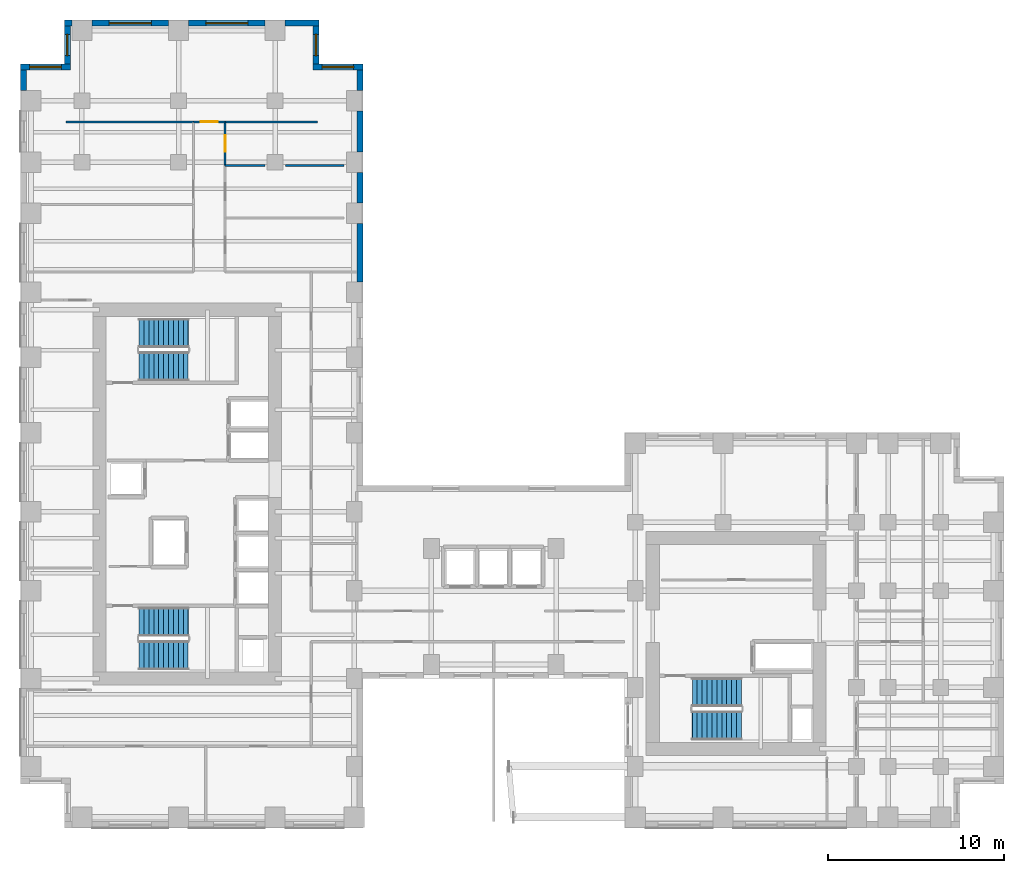
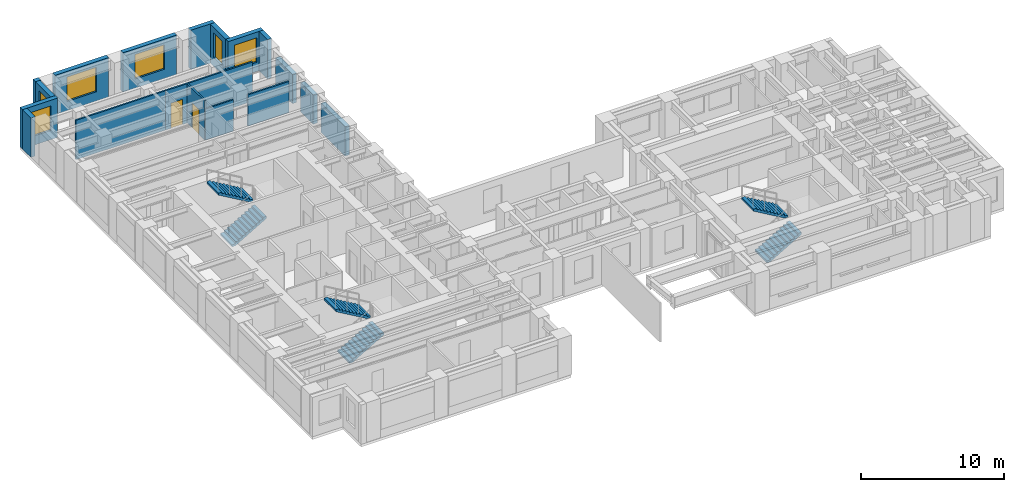
# One storey, part 12 of 14: 19 walls, 6 stair flights, 6 windows, 2 doors, 8 openings, 3 elements without a shape of their own.
"""IFC4 building model written with IfcOpenShell, lengths in metres."""

from ifc_helpers import new_model, si_unit, direction, frame, frame_2d, origin, place, context, subcontext, project, spatial, polyline, rectangle, outline, extrude, source, transform, mapped, material, layer, layer_set, type_object, element, fill, aggregate, save


model = new_model("IFC4")

# Units and contexts
model_context = context("Model", 3, precision=1e-05, world=origin(), true_north=direction((0.0, 1.0)))
body_context = subcontext(model_context, "Body", "Model", "MODEL_VIEW")
ifc_project = project(units=[si_unit("LENGTHUNIT", "METRE"), si_unit("AREAUNIT", "SQUARE_METRE"), si_unit("VOLUMEUNIT", "CUBIC_METRE"), si_unit("PLANEANGLEUNIT", "RADIAN"), si_unit("MASSUNIT", "GRAM", prefix="KILO")], contexts=[model_context])

# Site, building, storey
site_placement = place(None, origin())
site = spatial("IfcSite", under=ifc_project, at=site_placement, CompositionType="ELEMENT")
building_placement = place(site_placement, origin())
building = spatial("IfcBuilding", under=site, at=building_placement, Name="Kharzan Plaza Tower", CompositionType="ELEMENT")
storey_placement = place(building_placement, frame((0.0, 0.0, 102.60009765625)))
storey = spatial("IfcBuildingStorey", under=building, at=storey_placement, Name="L27", CompositionType="ELEMENT", Elevation=102.60009765625)

# Wall, opening, window
ifc_material_1 = material(Name="Concrete C40/50", Category="concrete")
ifc_layer_1 = layer(ifc_material_1, 0.35009765625)
ifc_layer_set_1 = layer_set([ifc_layer_1], Name="Concrete C40/50")
wall_type_1 = type_object("IfcWallType", Name="WL-EXT-MAS-Z2", PredefinedType="SOLIDWALL", material=ifc_layer_set_1)
wall_1_placement = place(storey_placement, frame((19.5, 43.324951171875, 0.0), z_axis=(0.0, 0.0, 1.0), x_axis=(-1.0, 0.0, 0.0)))
wall_1 = element("IfcWall", 1, at=wall_1_placement, inside=storey, type_object=wall_type_1, Name="L27 Masonry-Frame Exterior Wall 08", PredefinedType="SOLIDWALL", context=body_context, shape_type="SweptSolid", body=[
    extrude(rectangle(XDim=2.85009765625, YDim=0.35009765625, at=frame_2d((1.425048828125, 0.0))), origin(), (0.0, 0.0, 1.0), 3.364990234375),
])
opening_1_placement = place(wall_1_placement, frame((0.52490234375, 0.0, 0.780029296875)))
opening_1 = element("IfcOpeningElement", 2, at=opening_1_placement, cuts=wall_1, Name="Opening W1", PredefinedType="OPENING", context=body_context, shape_type="SweptSolid", body=[
    extrude(rectangle(XDim=1.800048828125, YDim=2.10009765625, at=frame_2d((0.89990234375, 1.050048828125))), frame((0.0, 0.18505859375, 0.0), z_axis=(0.0, -1.0, 0.0), x_axis=(1.0, 0.0, 0.0)), (0.0, 0.0, 1.0), 0.3701171875),
])
ifc_material_2 = material(Name="Low-E Double Glazing", Category="glass")
window_type_1 = type_object("IfcWindowType", Name="WN-REC-1800x2100", PartitioningType="SINGLE_PANEL", PredefinedType="WINDOW", material=ifc_material_2)
shared_shape_1 = source(origin(), body_context, "Body", "SweptSolid", [
    extrude(rectangle(XDim=1.800048828125, YDim=2.10009765625, at=frame_2d((0.89990234375, 1.050048828125))), frame((0.0, 0.030029296875, 0.0), z_axis=(0.0, -1.0, 0.0), x_axis=(1.0, 0.0, 0.0)), (0.0, 0.0, 1.0), 0.06005859375),
])
window_1_placement = place(opening_1_placement, origin())
window_1 = element("IfcWindow", 3, at=window_1_placement, inside=storey, type_object=window_type_1, Name="L27 Recessed Solar-Control Window 08-1", OverallHeight=2.10009765625, OverallWidth=1.800048828125, PartitioningType="SINGLE_PANEL", PredefinedType="WINDOW", context=body_context, shape_type="MappedRepresentation", body=[
    mapped(shared_shape_1, transform((0.0, 0.0, 0.0), x_axis=(1.0, 0.0, 0.0), y_axis=(0.0, 1.0, 0.0), z_axis=(0.0, 0.0, 1.0))),
])
fill(opening_1, window_1)

wall_2_placement = place(storey_placement, frame((16.824951171875, 43.498046875, 0.0), z_axis=(0.0, 0.0, 1.0), x_axis=(0.0, 1.0, 0.0)))
wall_2 = element("IfcWall", 4, at=wall_2_placement, inside=storey, type_object=wall_type_1, Name="L27 Masonry-Frame Exterior Wall 09", PredefinedType="SOLIDWALL", context=body_context, shape_type="SweptSolid", body=[
    extrude(rectangle(XDim=2.154052734375, YDim=0.35009765625, at=frame_2d((1.0771484375, 0.0))), origin(), (0.0, 0.0, 1.0), 3.364990234375),
])
opening_2_placement = place(wall_2_placement, frame((0.47705078125, 0.0, 0.780029296875)))
opening_2 = element("IfcOpeningElement", 5, at=opening_2_placement, cuts=wall_2, Name="Opening W3", PredefinedType="OPENING", context=body_context, shape_type="SweptSolid", body=[
    extrude(rectangle(XDim=1.199951171875, YDim=2.10009765625, at=frame_2d((0.60009765625, 1.050048828125))), frame((0.0, 0.18505859375, 0.0), z_axis=(0.0, -1.0, 0.0), x_axis=(1.0, 0.0, 0.0)), (0.0, 0.0, 1.0), 0.3701171875),
])
window_type_2 = type_object("IfcWindowType", Name="WN-REC-1200x2100", PartitioningType="SINGLE_PANEL", PredefinedType="WINDOW", material=ifc_material_2)
shared_shape_2 = source(origin(), body_context, "Body", "SweptSolid", [
    extrude(rectangle(XDim=1.199951171875, YDim=2.10009765625, at=frame_2d((0.60009765625, 1.050048828125))), frame((0.0, 0.030029296875, 0.0), z_axis=(0.0, -1.0, 0.0), x_axis=(1.0, 0.0, 0.0)), (0.0, 0.0, 1.0), 0.06005859375),
])
window_2_placement = place(opening_2_placement, origin())
window_2 = element("IfcWindow", 6, at=window_2_placement, inside=storey, type_object=window_type_2, Name="L27 Recessed Solar-Control Window 09-1", OverallHeight=2.10009765625, OverallWidth=1.199951171875, PartitioningType="SINGLE_PANEL", PredefinedType="WINDOW", context=body_context, shape_type="MappedRepresentation", body=[
    mapped(shared_shape_2, transform((0.0, 0.0, 0.0), x_axis=(1.0, 0.0, 0.0), y_axis=(0.0, 1.0, 0.0), z_axis=(0.0, 0.0, 1.0))),
])
fill(opening_2, window_2)

wall_3_placement = place(storey_placement, frame((13.927001953125, 45.824951171875, 0.0), z_axis=(0.0, 0.0, 1.0), x_axis=(-1.0, 0.0, 0.0)))
wall_3 = element("IfcWall", 7, at=wall_3_placement, inside=storey, type_object=wall_type_1, Name="L27 Masonry-Frame Exterior Wall 11", PredefinedType="SOLIDWALL", context=body_context, shape_type="SweptSolid", body=[
    extrude(rectangle(XDim=4.35400390625, YDim=0.35009765625, at=frame_2d((2.177001953125, 0.0))), origin(), (0.0, 0.0, 1.0), 3.364990234375),
])
opening_3_placement = place(wall_3_placement, frame((0.97705078125, 0.0, 0.780029296875)))
opening_3 = element("IfcOpeningElement", 8, at=opening_3_placement, cuts=wall_3, Name="Opening W2", PredefinedType="OPENING", context=body_context, shape_type="SweptSolid", body=[
    extrude(rectangle(XDim=2.39990234375, YDim=2.10009765625, at=frame_2d((1.199951171875, 1.050048828125))), frame((0.0, 0.18505859375, 0.0), z_axis=(0.0, -1.0, 0.0), x_axis=(1.0, 0.0, 0.0)), (0.0, 0.0, 1.0), 0.3701171875),
])
window_type_3 = type_object("IfcWindowType", Name="WN-REC-2400x2100", PartitioningType="SINGLE_PANEL", PredefinedType="WINDOW", material=ifc_material_2)
shared_shape_3 = source(origin(), body_context, "Body", "SweptSolid", [
    extrude(rectangle(XDim=2.39990234375, YDim=2.10009765625, at=frame_2d((1.199951171875, 1.050048828125))), frame((0.0, 0.030029296875, 0.0), z_axis=(0.0, -1.0, 0.0), x_axis=(1.0, 0.0, 0.0)), (0.0, 0.0, 1.0), 0.06005859375),
])
window_3_placement = place(opening_3_placement, origin())
window_3 = element("IfcWindow", 9, at=window_3_placement, inside=storey, type_object=window_type_3, Name="L27 Wide Recessed Solar-Control Window 11-1", OverallHeight=2.10009765625, OverallWidth=2.39990234375, PartitioningType="SINGLE_PANEL", PredefinedType="WINDOW", context=body_context, shape_type="MappedRepresentation", body=[
    mapped(shared_shape_3, transform((0.0, 0.0, 0.0), x_axis=(1.0, 0.0, 0.0), y_axis=(0.0, 1.0, 0.0), z_axis=(0.0, 0.0, 1.0))),
])
fill(opening_3, window_3)

wall_4_placement = place(storey_placement, frame((8.427001953125, 45.824951171875, 0.0), z_axis=(0.0, 0.0, 1.0), x_axis=(-1.0, 0.0, 0.0)))
wall_4 = element("IfcWall", 10, at=wall_4_placement, inside=storey, type_object=wall_type_1, Name="L27 Masonry-Frame Exterior Wall 12", PredefinedType="SOLIDWALL", context=body_context, shape_type="SweptSolid", body=[
    extrude(rectangle(XDim=4.35400390625, YDim=0.35009765625, at=frame_2d((2.177001953125, 0.0))), origin(), (0.0, 0.0, 1.0), 3.364990234375),
])
opening_4_placement = place(wall_4_placement, frame((0.97705078125, 0.0, 0.780029296875)))
opening_4 = element("IfcOpeningElement", 11, at=opening_4_placement, cuts=wall_4, Name="Opening W2", PredefinedType="OPENING", context=body_context, shape_type="SweptSolid", body=[
    extrude(rectangle(XDim=2.39990234375, YDim=2.10009765625, at=frame_2d((1.199951171875, 1.050048828125))), frame((0.0, 0.18505859375, 0.0), z_axis=(0.0, -1.0, 0.0), x_axis=(1.0, 0.0, 0.0)), (0.0, 0.0, 1.0), 0.3701171875),
])
window_4_placement = place(opening_4_placement, origin())
window_4 = element("IfcWindow", 12, at=window_4_placement, inside=storey, type_object=window_type_3, Name="L27 Wide Recessed Solar-Control Window 12-1", OverallHeight=2.10009765625, OverallWidth=2.39990234375, PartitioningType="SINGLE_PANEL", PredefinedType="WINDOW", context=body_context, shape_type="MappedRepresentation", body=[
    mapped(shared_shape_3, transform((0.0, 0.0, 0.0), x_axis=(1.0, 0.0, 0.0), y_axis=(0.0, 1.0, 0.0), z_axis=(0.0, 0.0, 1.0))),
])
fill(opening_4, window_4)

wall_5_placement = place(storey_placement, frame((2.675048828125, 45.652099609375, 0.0), z_axis=(0.0, 0.0, 1.0), x_axis=(0.0, -1.0, 0.0)))
wall_5 = element("IfcWall", 13, at=wall_5_placement, inside=storey, type_object=wall_type_1, Name="L27 Masonry-Frame Exterior Wall 14", PredefinedType="SOLIDWALL", context=body_context, shape_type="SweptSolid", body=[
    extrude(rectangle(XDim=2.154052734375, YDim=0.35009765625, at=frame_2d((1.0771484375, 0.0))), origin(), (0.0, 0.0, 1.0), 3.364990234375),
])
opening_5_placement = place(wall_5_placement, frame((0.47705078125, 0.0, 0.780029296875)))
opening_5 = element("IfcOpeningElement", 14, at=opening_5_placement, cuts=wall_5, Name="Opening W3", PredefinedType="OPENING", context=body_context, shape_type="SweptSolid", body=[
    extrude(rectangle(XDim=1.199951171875, YDim=2.10009765625, at=frame_2d((0.60009765625, 1.050048828125))), frame((0.0, 0.18505859375, 0.0), z_axis=(0.0, -1.0, 0.0), x_axis=(1.0, 0.0, 0.0)), (0.0, 0.0, 1.0), 0.3701171875),
])
window_5_placement = place(opening_5_placement, origin())
window_5 = element("IfcWindow", 15, at=window_5_placement, inside=storey, type_object=window_type_2, Name="L27 Recessed Solar-Control Window 14-1", OverallHeight=2.10009765625, OverallWidth=1.199951171875, PartitioningType="SINGLE_PANEL", PredefinedType="WINDOW", context=body_context, shape_type="MappedRepresentation", body=[
    mapped(shared_shape_2, transform((0.0, 0.0, 0.0), x_axis=(1.0, 0.0, 0.0), y_axis=(0.0, 1.0, 0.0), z_axis=(0.0, 0.0, 1.0))),
])
fill(opening_5, window_5)

wall_6_placement = place(storey_placement, frame((2.85009765625, 43.324951171875, 0.0), z_axis=(0.0, 0.0, 1.0), x_axis=(-1.0, 0.0, 0.0)))
wall_6 = element("IfcWall", 16, at=wall_6_placement, inside=storey, type_object=wall_type_1, Name="L27 Masonry-Frame Exterior Wall 15", PredefinedType="SOLIDWALL", context=body_context, shape_type="SweptSolid", body=[
    extrude(rectangle(XDim=2.85009765625, YDim=0.35009765625, at=frame_2d((1.425048828125, 0.0))), origin(), (0.0, 0.0, 1.0), 3.364990234375),
])
opening_6_placement = place(wall_6_placement, frame((0.52490234375, 0.0, 0.780029296875)))
opening_6 = element("IfcOpeningElement", 17, at=opening_6_placement, cuts=wall_6, Name="Opening W1", PredefinedType="OPENING", context=body_context, shape_type="SweptSolid", body=[
    extrude(rectangle(XDim=1.800048828125, YDim=2.10009765625, at=frame_2d((0.89990234375, 1.050048828125))), frame((0.0, 0.18505859375, 0.0), z_axis=(0.0, -1.0, 0.0), x_axis=(1.0, 0.0, 0.0)), (0.0, 0.0, 1.0), 0.3701171875),
])
window_6_placement = place(opening_6_placement, origin())
window_6 = element("IfcWindow", 18, at=window_6_placement, inside=storey, type_object=window_type_1, Name="L27 Recessed Solar-Control Window 15-1", OverallHeight=2.10009765625, OverallWidth=1.800048828125, PartitioningType="SINGLE_PANEL", PredefinedType="WINDOW", context=body_context, shape_type="MappedRepresentation", body=[
    mapped(shared_shape_1, transform((0.0, 0.0, 0.0), x_axis=(1.0, 0.0, 0.0), y_axis=(0.0, 1.0, 0.0), z_axis=(0.0, 0.0, 1.0))),
])
fill(opening_6, window_6)

# Wall, opening, door
ifc_material_3 = material(Name="Fire-Rated Gypsum Board Partition", Category="gypsum")
ifc_layer_2 = layer(ifc_material_3, 0.125)
ifc_layer_set_2 = layer_set([ifc_layer_2], Name="Fire-Rated Gypsum Board Partition")
wall_type_2 = type_object("IfcWallType", Name="WL-INT-PART-125", PredefinedType="PARTITIONING", material=ifc_layer_set_2)
wall_7_placement = place(storey_placement, frame((11.64990234375, 37.720947265625, 0.0), z_axis=(0.0, 0.0, 1.0), x_axis=(0.0, 1.0, 0.0)))
wall_7 = element("IfcWall", 19, at=wall_7_placement, inside=storey, type_object=wall_type_2, Name="L27 Interior Partition SH-SPE-3", PredefinedType="PARTITIONING", context=body_context, shape_type="SweptSolid", body=[
    extrude(rectangle(XDim=2.47900390625, YDim=0.125, at=frame_2d((1.239501953125, 0.0))), origin(), (0.0, 0.0, 1.0), 3.364990234375),
])
opening_7_placement = place(wall_7_placement, frame((0.764404296875, 0.0, 0.0)))
opening_7 = element("IfcOpeningElement", 20, at=opening_7_placement, cuts=wall_7, Name="Opening OD1", PredefinedType="OPENING", context=body_context, shape_type="SweptSolid", body=[
    extrude(rectangle(XDim=0.949951171875, YDim=2.14990234375, at=frame_2d((0.47509765625, 1.074951171875))), frame((0.0, 0.072509765625, 0.0), z_axis=(0.0, -1.0, 0.0), x_axis=(1.0, 0.0, 0.0)), (0.0, 0.0, 1.0), 0.14501953125),
])
ifc_material_4 = material(Name="Acoustic Solid-Core Stained Oak", Category="timber")
door_type = type_object("IfcDoorType", Name="DR-OFF-SINGLE", OperationType="NOTDEFINED", PredefinedType="DOOR", material=ifc_material_4)
shared_shape_4 = source(origin(), body_context, "Body", "SweptSolid", [
    extrude(rectangle(XDim=0.949951171875, YDim=2.14990234375, at=frame_2d((0.47509765625, 1.074951171875))), frame((0.0, 0.02490234375, 0.0), z_axis=(0.0, -1.0, 0.0), x_axis=(1.0, 0.0, 0.0)), (0.0, 0.0, 1.0), 0.050048828125),
])
door_1_placement = place(opening_7_placement, origin())
door_1 = element("IfcDoor", 21, at=door_1_placement, inside=storey, type_object=door_type, Name="L27 Maritime Simulation Studio Door", OperationType="SINGLE_SWING_LEFT", OverallHeight=2.14990234375, OverallWidth=0.949951171875, PredefinedType="DOOR", context=body_context, shape_type="MappedRepresentation", body=[
    mapped(shared_shape_4, transform((0.0, 0.0, 0.0), x_axis=(1.0, 0.0, 0.0), y_axis=(0.0, 1.0, 0.0), z_axis=(0.0, 0.0, 1.0))),
])
fill(opening_7, door_1)

wall_8_placement = place(storey_placement, frame((9.85009765625, 40.199951171875, 0.0), z_axis=(0.0, 0.0, 1.0), x_axis=(1.0, 0.0, 0.0)))
wall_8 = element("IfcWall", 22, at=wall_8_placement, inside=storey, type_object=wall_type_2, Name="L27 Interior Partition SH-SPHD", PredefinedType="PARTITIONING", context=body_context, shape_type="SweptSolid", body=[
    extrude(rectangle(XDim=1.7998046875, YDim=0.125, at=frame_2d((0.89990234375, 0.0))), origin(), (0.0, 0.0, 1.0), 3.364990234375),
])
opening_8_placement = place(wall_8_placement, frame((0.425048828125, 0.0, 0.0)))
opening_8 = element("IfcOpeningElement", 23, at=opening_8_placement, cuts=wall_8, Name="Opening OD1", PredefinedType="OPENING", context=body_context, shape_type="SweptSolid", body=[
    extrude(rectangle(XDim=0.949951171875, YDim=2.14990234375, at=frame_2d((0.47509765625, 1.074951171875))), frame((0.0, 0.072509765625, 0.0), z_axis=(0.0, -1.0, 0.0), x_axis=(1.0, 0.0, 0.0)), (0.0, 0.0, 1.0), 0.14501953125),
])
door_2_placement = place(opening_8_placement, origin())
door_2 = element("IfcDoor", 24, at=door_2_placement, inside=storey, type_object=door_type, Name="L27 North Boardroom Door", OperationType="SINGLE_SWING_RIGHT", OverallHeight=2.14990234375, OverallWidth=0.949951171875, PredefinedType="DOOR", context=body_context, shape_type="MappedRepresentation", body=[
    mapped(shared_shape_4, transform((0.0, 0.0, 0.0), x_axis=(1.0, 0.0, 0.0), y_axis=(0.0, 1.0, 0.0), z_axis=(0.0, 0.0, 1.0))),
])
fill(opening_8, door_2)

# Walls
shared_shape_5 = source(origin(), body_context, "Body", "SweptSolid", [
    extrude(rectangle(XDim=5.25, YDim=0.125, at=frame_2d((2.625, 0.0))), origin(), (0.0, 0.0, 1.0), 3.364990234375),
])
wall_9_placement = place(storey_placement, frame((11.64990234375, 40.199951171875, 0.0), z_axis=(0.0, 0.0, 1.0), x_axis=(1.0, 0.0, 0.0)))
element("IfcWall", 25, at=wall_9_placement, inside=storey, type_object=wall_type_2, Name="L27 Interior Partition SH-SPHE", PredefinedType="PARTITIONING", context=body_context, shape_type="MappedRepresentation", body=[
    mapped(shared_shape_5, transform((0.0, 0.0, 0.0), x_axis=(1.0, 0.0, 0.0), y_axis=(0.0, 1.0, 0.0), z_axis=(0.0, 0.0, 1.0))),
])
shared_shape_6 = source(origin(), body_context, "Body", "SweptSolid", [
    extrude(rectangle(XDim=7.25, YDim=0.125, at=frame_2d((3.625, 0.0))), origin(), (0.0, 0.0, 1.0), 3.364990234375),
])
wall_10_placement = place(storey_placement, frame((2.60009765625, 40.199951171875, 0.0), z_axis=(0.0, 0.0, 1.0), x_axis=(1.0, 0.0, 0.0)))
element("IfcWall", 26, at=wall_10_placement, inside=storey, type_object=wall_type_2, Name="L27 Interior Partition SH-SPHW", PredefinedType="PARTITIONING", context=body_context, shape_type="MappedRepresentation", body=[
    mapped(shared_shape_6, transform((0.0, 0.0, 0.0), x_axis=(1.0, 0.0, 0.0), y_axis=(0.0, 1.0, 0.0), z_axis=(0.0, 0.0, 1.0))),
])
shared_shape_7 = source(origin(), body_context, "Body", "SweptSolid", [
    extrude(rectangle(XDim=1.927001953125, YDim=0.35009765625, at=frame_2d((0.96337890625, 0.0))), origin(), (0.0, 0.0, 1.0), 3.364990234375),
])
wall_11_placement = place(storey_placement, frame((17.0, 45.824951171875, 0.0), z_axis=(0.0, 0.0, 1.0), x_axis=(-1.0, 0.0, 0.0)))
element("IfcWall", 27, at=wall_11_placement, inside=storey, type_object=wall_type_1, Name="L27 Masonry-Frame Exterior Wall 10", PredefinedType="SOLIDWALL", context=body_context, shape_type="MappedRepresentation", body=[
    mapped(shared_shape_7, transform((0.0, 0.0, 0.0), x_axis=(1.0, 0.0, 0.0), y_axis=(0.0, 1.0, 0.0), z_axis=(0.0, 0.0, 1.0))),
])
shared_shape_8 = source(origin(), body_context, "Body", "SweptSolid", [
    extrude(rectangle(XDim=0.427001953125, YDim=0.35009765625, at=frame_2d((0.21337890625, 0.0))), origin(), (0.0, 0.0, 1.0), 3.364990234375),
])
wall_12_placement = place(storey_placement, frame((2.927001953125, 45.824951171875, 0.0), z_axis=(0.0, 0.0, 1.0), x_axis=(-1.0, 0.0, 0.0)))
element("IfcWall", 28, at=wall_12_placement, inside=storey, type_object=wall_type_1, Name="L27 Masonry-Frame Exterior Wall 13", PredefinedType="SOLIDWALL", context=body_context, shape_type="MappedRepresentation", body=[
    mapped(shared_shape_8, transform((0.0, 0.0, 0.0), x_axis=(1.0, 0.0, 0.0), y_axis=(0.0, 1.0, 0.0), z_axis=(0.0, 0.0, 1.0))),
])
shared_shape_9 = source(origin(), body_context, "Body", "SweptSolid", [
    extrude(rectangle(XDim=1.17919921875, YDim=0.35009765625, at=frame_2d((0.589599609375, 0.0))), origin(), (0.0, 0.0, 1.0), 3.364990234375),
])
for number, where, z_axis, x_axis, name in (
    (29, (19.324951171875, 41.972900390625, 0.0), (0.0, 0.0, 1.0), (0.0, 1.0, 0.0), "L27 Masonry-Frame Exterior Wall 07"),
    (30, (0.175048828125, 43.152099609375, 0.0), (0.0, 0.0, 1.0), (0.0, -1.0, 0.0), "L27 Masonry-Frame Exterior Wall 16"),
):
    element("IfcWall", number, at=place(storey_placement, frame(where, z_axis=z_axis, x_axis=x_axis)), inside=storey, type_object=wall_type_1, Name=name, PredefinedType="SOLIDWALL", context=body_context, shape_type="MappedRepresentation", body=[
        mapped(shared_shape_9, transform((0.0, 0.0, 0.0), x_axis=(1.0, 0.0, 0.0), y_axis=(0.0, 1.0, 0.0), z_axis=(0.0, 0.0, 1.0))),
    ])
shared_shape_10 = source(origin(), body_context, "Body", "SweptSolid", [
    extrude(rectangle(XDim=3.31982421875, YDim=0.125, at=frame_2d((1.659912109375, 0.0))), origin(), (0.0, 0.0, 1.0), 2.677001953125),
])
wall_13_placement = place(storey_placement, frame((15.090087890625, 37.720947265625, 0.0), z_axis=(0.0, 0.0, 1.0), x_axis=(1.0, 0.0, 0.0)))
element("IfcWall", 31, at=wall_13_placement, inside=storey, type_object=wall_type_2, Name="L27 Interior Partition SH-NEH-2-S2", PredefinedType="PARTITIONING", context=body_context, shape_type="MappedRepresentation", body=[
    mapped(shared_shape_10, transform((0.0, 0.0, 0.0), x_axis=(1.0, 0.0, 0.0), y_axis=(0.0, 1.0, 0.0), z_axis=(0.0, 0.0, 1.0))),
])
shared_shape_11 = source(origin(), body_context, "Body", "SweptSolid", [
    extrude(rectangle(XDim=2.260009765625, YDim=0.125, at=frame_2d((1.1298828125, 0.0))), origin(), (0.0, 0.0, 1.0), 2.677001953125),
])
wall_14_placement = place(storey_placement, frame((11.64990234375, 37.720947265625, 0.0), z_axis=(0.0, 0.0, 1.0), x_axis=(1.0, 0.0, 0.0)))
element("IfcWall", 32, at=wall_14_placement, inside=storey, type_object=wall_type_2, Name="L27 Interior Partition SH-NEH-2-S1", PredefinedType="PARTITIONING", context=body_context, shape_type="MappedRepresentation", body=[
    mapped(shared_shape_11, transform((0.0, 0.0, 0.0), x_axis=(1.0, 0.0, 0.0), y_axis=(0.0, 1.0, 0.0), z_axis=(0.0, 0.0, 1.0))),
])
shared_shape_12 = source(origin(), body_context, "Body", "SweptSolid", [
    extrude(rectangle(XDim=1.75390625, YDim=0.35009765625, at=frame_2d((0.876953125, 0.0))), origin(), (0.0, 0.0, 1.0), 2.518798828125),
])
wall_15_placement = place(storey_placement, frame((19.324951171875, 35.572998046875, 0.0), z_axis=(0.0, 0.0, 1.0), x_axis=(0.0, 1.0, 0.0)))
element("IfcWall", 33, at=wall_15_placement, inside=storey, type_object=wall_type_1, Name="L27 Masonry-Frame Exterior Wall 05", PredefinedType="SOLIDWALL", context=body_context, shape_type="MappedRepresentation", body=[
    mapped(shared_shape_12, transform((0.0, 0.0, 0.0), x_axis=(1.0, 0.0, 0.0), y_axis=(0.0, 1.0, 0.0), z_axis=(0.0, 0.0, 1.0))),
])
shared_shape_13 = source(origin(), body_context, "Body", "SweptSolid", [
    extrude(rectangle(XDim=3.35400390625, YDim=0.35009765625, at=frame_2d((1.677001953125, 0.0))), origin(), (0.0, 0.0, 1.0), 2.518798828125),
])
wall_16_placement = place(storey_placement, frame((19.324951171875, 31.072998046875, 0.0), z_axis=(0.0, 0.0, 1.0), x_axis=(0.0, 1.0, 0.0)))
element("IfcWall", 34, at=wall_16_placement, inside=storey, type_object=wall_type_1, Name="L27 Masonry-Frame Exterior Wall 04", PredefinedType="SOLIDWALL", context=body_context, shape_type="MappedRepresentation", body=[
    mapped(shared_shape_13, transform((0.0, 0.0, 0.0), x_axis=(1.0, 0.0, 0.0), y_axis=(0.0, 1.0, 0.0), z_axis=(0.0, 0.0, 1.0))),
])
shared_shape_14 = source(origin(), body_context, "Body", "SweptSolid", [
    extrude(rectangle(XDim=2.35400390625, YDim=0.35009765625, at=frame_2d((1.177001953125, 0.0))), origin(), (0.0, 0.0, 1.0), 2.518798828125),
])
wall_17_placement = place(storey_placement, frame((19.324951171875, 38.472900390625, 0.0), z_axis=(0.0, 0.0, 1.0), x_axis=(0.0, 1.0, 0.0)))
element("IfcWall", 35, at=wall_17_placement, inside=storey, type_object=wall_type_1, Name="L27 Masonry-Frame Exterior Wall 06", PredefinedType="SOLIDWALL", context=body_context, shape_type="MappedRepresentation", body=[
    mapped(shared_shape_14, transform((0.0, 0.0, 0.0), x_axis=(1.0, 0.0, 0.0), y_axis=(0.0, 1.0, 0.0), z_axis=(0.0, 0.0, 1.0))),
])

# Stair, stair flights
stair_type_1 = type_object("IfcStairType", Name="STR-ST-1", PredefinedType="HALF_TURN_STAIR", material=ifc_material_1)
stair_1_placement = place(storey_placement, origin())
stair_1 = element("IfcStair", 36, at=stair_1_placement, inside=storey, type_object=stair_type_1, Name="L27 Protected Exit Stair ST-1", PredefinedType="HALF_TURN_STAIR")
stair_flight_type = type_object("IfcStairFlightType", Name="SFL-1650-R173", PredefinedType="STRAIGHT", material=ifc_material_1)
shared_shape_15 = source(origin(), body_context, "Body", "SweptSolid", [
    extrude(outline(polyline([(-0.0029296875, -0.011962890625), (-0.0029296875, 0.0), (0.0, 0.0), (0.0, 0.16357421875), (0.280029296875, 0.16357421875), (0.280029296875, 0.3271484375), (0.56005859375, 0.3271484375), (0.56005859375, 0.49072265625), (0.840087890625, 0.49072265625), (0.840087890625, 0.654296875), (1.1201171875, 0.654296875), (1.1201171875, 0.81787109375), (1.400146484375, 0.81787109375), (1.400146484375, 0.9814453125), (1.68017578125, 0.9814453125), (1.68017578125, 1.14501953125), (1.960205078125, 1.14501953125), (1.960205078125, 1.30859375), (2.240234375, 1.30859375), (2.240234375, 1.47216796875), (2.520263671875, 1.47216796875), (2.520263671875, 1.6357421875), (2.80029296875, 1.6357421875), (2.80029296875, 1.79931640625), (2.80029296875, 1.462158203125), (0.297119140625, 0.0), (0.297119140625, -0.011962890625), (-0.0029296875, -0.011962890625)])), frame((0.0, 0.824951171875, 0.0), z_axis=(0.0, -1.0, 0.0), x_axis=(1.0, 0.0, 0.0)), (0.0, 0.0, 1.0), 1.64990234375),
])
stair_flight_1_placement = place(storey_placement, frame((6.75, 9.824951171875, 0.0), z_axis=(0.0, 0.0, 1.0), x_axis=(1.0, 0.0, 0.0)))
stair_flight_1 = element("IfcStairFlight", 37, at=stair_flight_1_placement, type_object=stair_flight_type, Name="ST-1 flight 1", NumberOfRisers=11, NumberOfTreads=10, PredefinedType="STRAIGHT", RiserHeight=0.163636364, TreadLength=0.28, context=body_context, shape_type="MappedRepresentation", body=[
    mapped(shared_shape_15, transform((0.0, 0.0, 0.0), x_axis=(1.0, 0.0, 0.0), y_axis=(0.0, 1.0, 0.0), z_axis=(0.0, 0.0, 1.0))),
])
stair_flight_2_placement = place(storey_placement, frame((9.550048828125, 11.72509765625, 1.7998046875), z_axis=(0.0, 0.0, 1.0), x_axis=(-1.0, 0.0, 0.0)))
stair_flight_2 = element("IfcStairFlight", 38, at=stair_flight_2_placement, type_object=stair_flight_type, Name="ST-1 flight 2", NumberOfRisers=11, NumberOfTreads=10, PredefinedType="STRAIGHT", RiserHeight=0.163636364, TreadLength=0.28, context=body_context, shape_type="MappedRepresentation", body=[
    mapped(shared_shape_15, transform((0.0, 0.0, 0.0), x_axis=(1.0, 0.0, 0.0), y_axis=(0.0, 1.0, 0.0), z_axis=(0.0, 0.0, 1.0))),
])
aggregate(stair_1, [stair_flight_1, stair_flight_2])

stair_type_2 = type_object("IfcStairType", Name="STR-ST-2", PredefinedType="HALF_TURN_STAIR", material=ifc_material_1)
stair_2_placement = place(storey_placement, origin())
stair_2 = element("IfcStair", 39, at=stair_2_placement, inside=storey, type_object=stair_type_2, Name="L27 Protected Exit Stair ST-2", PredefinedType="HALF_TURN_STAIR")
stair_flight_3_placement = place(storey_placement, frame((6.75, 26.27490234375, 0.0), z_axis=(0.0, 0.0, 1.0), x_axis=(1.0, 0.0, 0.0)))
stair_flight_3 = element("IfcStairFlight", 40, at=stair_flight_3_placement, type_object=stair_flight_type, Name="ST-2 flight 1", NumberOfRisers=11, NumberOfTreads=10, PredefinedType="STRAIGHT", RiserHeight=0.163636364, TreadLength=0.28, context=body_context, shape_type="MappedRepresentation", body=[
    mapped(shared_shape_15, transform((0.0, 0.0, 0.0), x_axis=(1.0, 0.0, 0.0), y_axis=(0.0, 1.0, 0.0), z_axis=(0.0, 0.0, 1.0))),
])
stair_flight_4_placement = place(storey_placement, frame((9.550048828125, 28.175048828125, 1.7998046875), z_axis=(0.0, 0.0, 1.0), x_axis=(-1.0, 0.0, 0.0)))
stair_flight_4 = element("IfcStairFlight", 41, at=stair_flight_4_placement, type_object=stair_flight_type, Name="ST-2 flight 2", NumberOfRisers=11, NumberOfTreads=10, PredefinedType="STRAIGHT", RiserHeight=0.163636364, TreadLength=0.28, context=body_context, shape_type="MappedRepresentation", body=[
    mapped(shared_shape_15, transform((0.0, 0.0, 0.0), x_axis=(1.0, 0.0, 0.0), y_axis=(0.0, 1.0, 0.0), z_axis=(0.0, 0.0, 1.0))),
])
aggregate(stair_2, [stair_flight_3, stair_flight_4])

stair_type_3 = type_object("IfcStairType", Name="STR-ST-3", PredefinedType="HALF_TURN_STAIR", material=ifc_material_1)
stair_3_placement = place(storey_placement, origin())
stair_3 = element("IfcStair", 42, at=stair_3_placement, inside=storey, type_object=stair_type_3, Name="L27 Protected Exit Stair ST-3", PredefinedType="HALF_TURN_STAIR")
stair_flight_5_placement = place(storey_placement, frame((38.25, 5.824951171875, 0.0), z_axis=(0.0, 0.0, 1.0), x_axis=(1.0, 0.0, 0.0)))
stair_flight_5 = element("IfcStairFlight", 43, at=stair_flight_5_placement, type_object=stair_flight_type, Name="ST-3 flight 1", NumberOfRisers=11, NumberOfTreads=10, PredefinedType="STRAIGHT", RiserHeight=0.163636364, TreadLength=0.28, context=body_context, shape_type="MappedRepresentation", body=[
    mapped(shared_shape_15, transform((0.0, 0.0, 0.0), x_axis=(1.0, 0.0, 0.0), y_axis=(0.0, 1.0, 0.0), z_axis=(0.0, 0.0, 1.0))),
])
stair_flight_6_placement = place(storey_placement, frame((41.050048828125, 7.72509765625, 1.7998046875), z_axis=(0.0, 0.0, 1.0), x_axis=(-1.0, 0.0, 0.0)))
stair_flight_6 = element("IfcStairFlight", 44, at=stair_flight_6_placement, type_object=stair_flight_type, Name="ST-3 flight 2", NumberOfRisers=11, NumberOfTreads=10, PredefinedType="STRAIGHT", RiserHeight=0.163636364, TreadLength=0.28, context=body_context, shape_type="MappedRepresentation", body=[
    mapped(shared_shape_15, transform((0.0, 0.0, 0.0), x_axis=(1.0, 0.0, 0.0), y_axis=(0.0, 1.0, 0.0), z_axis=(0.0, 0.0, 1.0))),
])
aggregate(stair_3, [stair_flight_5, stair_flight_6])

save(model, "model.ifc")
